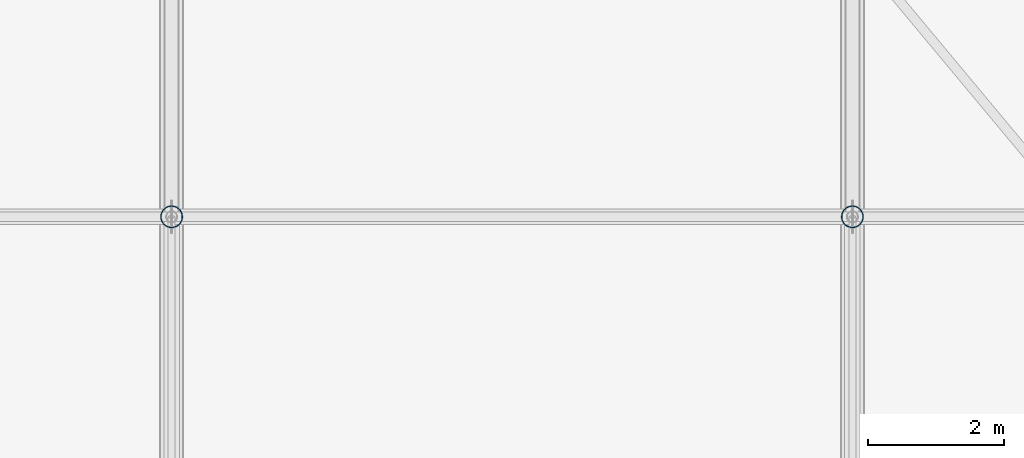
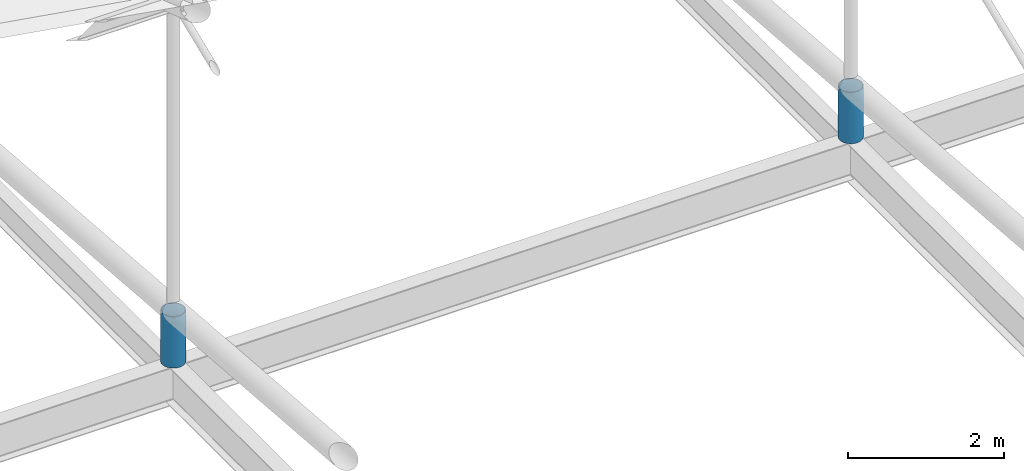
# One storey, part 78 of 93: 2 members.
"""IFC4 building model written with IfcOpenShell, lengths in metres."""

from ifc_helpers import new_model, si_unit, derived_unit, direction, frame, origin, origin_2d_with_axis, place, context, subcontext, project, spatial, hollow_circle, extrude, material, material_profile, profile_set, type_object, element, save


model = new_model("IFC4")

# Units and contexts
model_context = context("Model", 3, precision=1e-05, world=origin(), true_north=direction((0.0, 1.0)))
body_context = subcontext(model_context, "Body", "Model", "MODEL_VIEW")
ifc_project = project(units=[si_unit("LENGTHUNIT", "METRE"), si_unit("AREAUNIT", "SQUARE_METRE"), si_unit("VOLUMEUNIT", "CUBIC_METRE"), si_unit("PLANEANGLEUNIT", "RADIAN"), si_unit("MASSUNIT", "GRAM", prefix="KILO"), derived_unit("THERMALTRANSMITTANCEUNIT", [(si_unit("POWERUNIT", "WATT"), 1), (si_unit("LENGTHUNIT", "METRE"), -2), (si_unit("THERMODYNAMICTEMPERATUREUNIT", "KELVIN"), -1)])], contexts=[model_context])

# Site, building, storey
site_placement = place(None, origin())
site = spatial("IfcSite", under=ifc_project, at=site_placement, CompositionType="ELEMENT")
building_placement = place(site_placement, origin())
building = spatial("IfcBuilding", under=site, at=building_placement, Name="Cinnabar Yard Market Hall", CompositionType="ELEMENT")
storey_placement = place(building_placement, frame((0.0, 0.0, 23.800048828125)))
storey = spatial("IfcBuildingStorey", under=building, at=storey_placement, Name="ROOF", CompositionType="ELEMENT", Elevation=23.800048828125)

# Members
ifc_material = material(Name="Spotted-gum glulam-clad steel Grade 350 (350 MPa)", Category="steel")
ifc_material_profile = material_profile(ifc_material, hollow_circle(Radius=0.161865234375, WallThickness=0.009521484375, at=origin_2d_with_axis()), Name="323.9x9.5CHS")
ifc_profile_set = profile_set([ifc_material_profile], Name="Spotted-gum glulam-clad steel Grade 350 (350 MPa)")
member_type = type_object("IfcMemberType", Name="MB-ST01", PredefinedType="STRUT", material=ifc_profile_set)
for number, where, z_axis, x_axis, name in (
    (1, (126.0, 64.0, -9.400146484375), (0.0, 0.0, 1.0), (1.0, 0.0, 0.0), "Truss Bearing Post 126-64"),
    (2, (136.0, 64.0, -9.400146484375), (0.0, 0.0, 1.0), (1.0, 0.0, 0.0), "Truss Bearing Post 136-64"),
):
    element("IfcMember", number, at=place(storey_placement, frame(where, z_axis=z_axis, x_axis=x_axis)), inside=storey, type_object=member_type, Name=name, PredefinedType="STRUT", context=body_context, shape_type="SweptSolid", body=[
        extrude(hollow_circle(Radius=0.161865234375, WallThickness=0.009521484375, at=origin_2d_with_axis()), origin(), (0.0, 0.0, 1.0), 0.800048828125),
    ])

save(model, "model.ifc")
